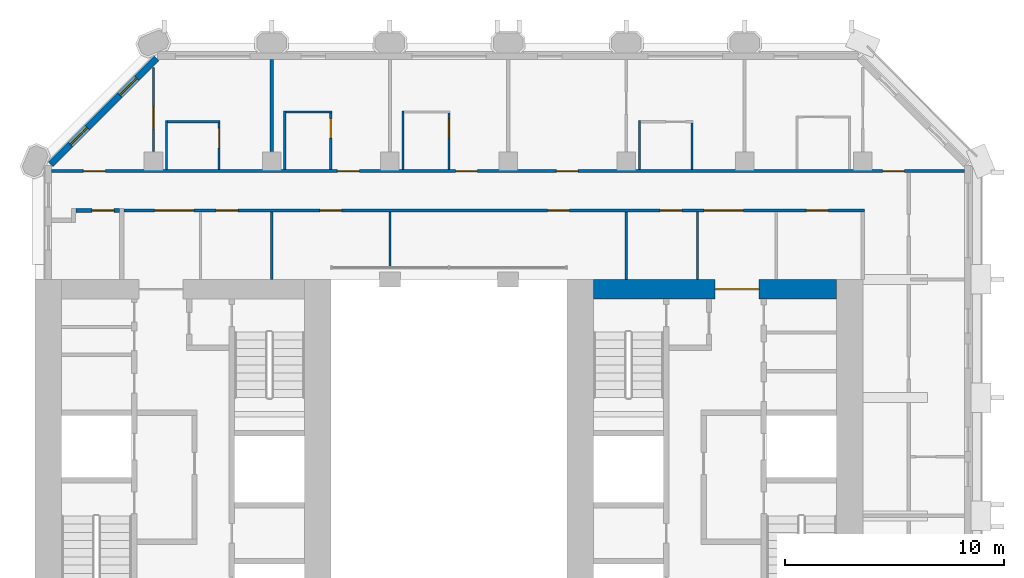
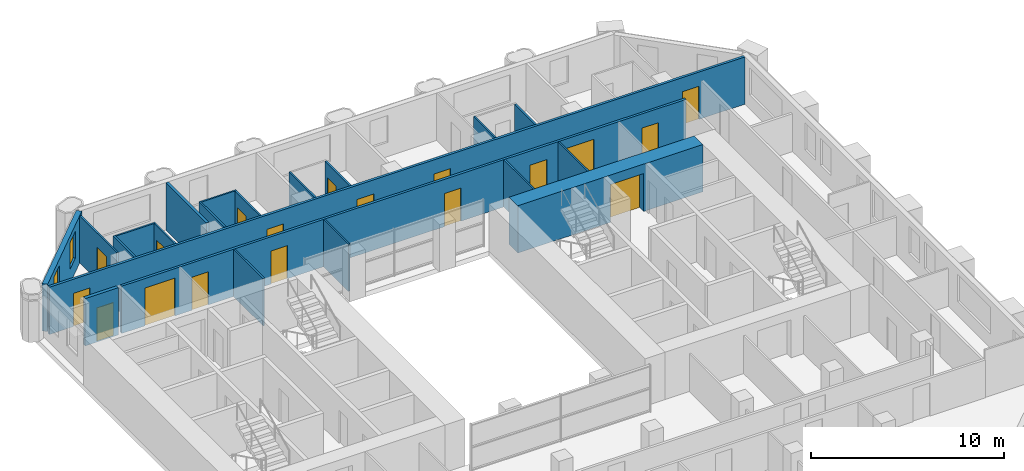
# One storey, part 9 of 13: 21 walls, 18 doors, 2 windows, 20 openings.
"""IFC4 building model written with IfcOpenShell, lengths in metres."""

from ifc_helpers import new_model, si_unit, direction, frame, frame_2d, origin, place, context, subcontext, project, spatial, rectangle, extrude, material, layer, layer_set, type_object, element, fill, save


model = new_model("IFC4")

# Units and contexts
model_context = context("Model", 3, precision=1e-05, world=origin(), true_north=direction((0.0, 1.0)))
body_context = subcontext(model_context, "Body", "Model", "MODEL_VIEW")
ifc_project = project(units=[si_unit("LENGTHUNIT", "METRE"), si_unit("AREAUNIT", "SQUARE_METRE"), si_unit("VOLUMEUNIT", "CUBIC_METRE"), si_unit("PLANEANGLEUNIT", "RADIAN"), si_unit("MASSUNIT", "GRAM", prefix="KILO")], contexts=[model_context])

# Site, building, storey
site_placement = place(None, origin())
site = spatial("IfcSite", under=ifc_project, at=site_placement, CompositionType="ELEMENT")
building_placement = place(site_placement, origin())
building = spatial("IfcBuilding", under=site, at=building_placement, Name="Tabaq Tower and Sports Hall", CompositionType="ELEMENT")
storey_placement = place(building_placement, frame((0.0, 0.0, 169.300048828125)))
storey = spatial("IfcBuildingStorey", under=building, at=storey_placement, Name="L40", CompositionType="ELEMENT", Elevation=169.300048828125)

# Wall, opening, door
ifc_material_1 = material(Name="Concrete C50/60", Category="concrete")
ifc_layer_1 = layer(ifc_material_1, 0.89990234375)
ifc_layer_set_1 = layer_set([ifc_layer_1], Name="Core wall 900 Concrete C50/60")
wall_type_1 = type_object("IfcWallType", Name="Core wall 900 Concrete C50/60", PredefinedType="SOLIDWALL", material=ifc_layer_set_1)
wall_1_placement = place(storey_placement, frame((30.89990234375, 31.949951171875, 0.0), z_axis=(0.0, 0.0, 1.0), x_axis=(1.0, 0.0, 0.0)))
wall_1 = element("IfcWall", 1, at=wall_1_placement, inside=storey, type_object=wall_type_1, Name="Core wall E L40", PredefinedType="SOLIDWALL", context=body_context, shape_type="SweptSolid", body=[
    extrude(rectangle(XDim=11.10009765625, YDim=0.89990234375, at=frame_2d((5.550048828125, 0.0))), origin(), (0.0, 0.0, 1.0), 3.0),
])
opening_1_placement = place(wall_1_placement, frame((5.550048828125, 0.0, 0.0)))
opening_1 = element("IfcOpeningElement", 2, at=opening_1_placement, cuts=wall_1, Name="Opening PD-EL40-02", PredefinedType="OPENING", context=body_context, shape_type="SweptSolid", body=[
    extrude(rectangle(XDim=2.0, YDim=2.39990234375, at=frame_2d((1.0, 1.199951171875))), frame((0.0, 0.449951171875, 0.0), z_axis=(0.0, -1.0, 0.0), x_axis=(1.0, 0.0, 0.0)), (0.0, 0.0, 1.0), 0.89990234375),
])
ifc_material_2 = material(Name="Steel fire door", Category="steel")
door_type_1 = type_object("IfcDoorType", Name="Core entrance door 2000", OperationType="DOUBLE_DOOR_SINGLE_SWING", PredefinedType="DOOR", material=ifc_material_2)
door_1_placement = place(opening_1_placement, origin())
door_1 = element("IfcDoor", 3, at=door_1_placement, inside=storey, type_object=door_type_1, Name="Core entrance north E L40", OperationType="DOUBLE_DOOR_SINGLE_SWING", OverallHeight=2.39990234375, OverallWidth=2.0, PredefinedType="DOOR", context=body_context, shape_type="SweptSolid", body=[
    extrude(rectangle(XDim=2.0, YDim=2.39990234375, at=frame_2d((1.0, 1.199951171875))), frame((0.0, 0.02490234375, 0.0), z_axis=(0.0, -1.0, 0.0), x_axis=(1.0, 0.0, 0.0)), (0.0, 0.0, 1.0), 0.050048828125),
])
fill(opening_1, door_1)

ifc_material_3 = material(Name="Blockwork", Category="masonry")
ifc_layer_2 = layer(ifc_material_3, 0.199951171875)
ifc_layer_set_2 = layer_set([ifc_layer_2], Name="Fire compartment wall 200 Blockwork")
wall_type_2 = type_object("IfcWallType", Name="Fire compartment wall 200 Blockwork", PredefinedType="PARTITIONING", material=ifc_layer_set_2)
wall_2_placement = place(storey_placement, frame((7.2509765625, 35.550048828125, 0.0), z_axis=(0.0, 0.0, 1.0), x_axis=(1.0, 0.0, 0.0)))
wall_2 = element("IfcWall", 4, at=wall_2_placement, inside=storey, type_object=wall_type_2, Name="Compartment wall L40", PredefinedType="PARTITIONING", context=body_context, shape_type="SweptSolid", body=[
    extrude(rectangle(XDim=1.9990234375, YDim=0.199951171875, at=frame_2d((0.99951171875, 0.0))), origin(), (0.0, 0.0, 1.0), 3.0),
])
opening_2_placement = place(wall_2_placement, frame((0.7490234375, 0.0, 0.0)))
opening_2 = element("IfcOpeningElement", 5, at=opening_2_placement, cuts=wall_2, Name="Opening L40-010", PredefinedType="OPENING", context=body_context, shape_type="SweptSolid", body=[
    extrude(rectangle(XDim=1.0, YDim=2.10009765625, at=frame_2d((0.5, 1.050048828125))), frame((0.0, 0.10009765625, 0.0), z_axis=(0.0, -1.0, 0.0), x_axis=(1.0, 0.0, 0.0)), (0.0, 0.0, 1.0), 0.199951171875),
])
ifc_material_4 = material(Name="Steel fire door", Category="steel")
door_type_2 = type_object("IfcDoorType", Name="Riser door 1000 right hand", OperationType="SINGLE_SWING_RIGHT", PredefinedType="DOOR", material=ifc_material_4)
door_2_placement = place(opening_2_placement, origin())
door_2 = element("IfcDoor", 6, at=door_2_placement, inside=storey, type_object=door_type_2, Name="Riser door L40-010", OperationType="SINGLE_SWING_RIGHT", OverallHeight=2.10009765625, OverallWidth=1.0, PredefinedType="DOOR", context=body_context, shape_type="SweptSolid", body=[
    extrude(rectangle(XDim=1.0, YDim=2.10009765625, at=frame_2d((0.5, 1.050048828125))), frame((0.0, 0.02490234375, 0.0), z_axis=(0.0, -1.0, 0.0), x_axis=(1.0, 0.0, 0.0)), (0.0, 0.0, 1.0), 0.050048828125),
])
fill(opening_2, door_2)

ifc_material_5 = material(Name="Gypsum board on steel studs", Category="steel")
ifc_layer_3 = layer(ifc_material_5, 0.10009765625)
ifc_layer_set_3 = layer_set([ifc_layer_3], Name="Partition 100 Gypsum board")
wall_type_3 = type_object("IfcWallType", Name="Partition 100 Gypsum board", PredefinedType="PARTITIONING", material=ifc_layer_set_3)
wall_3_placement = place(storey_placement, frame((10.800048828125, 42.087890625, 0.0), z_axis=(0.0, 0.0, 1.0), x_axis=(0.0, -1.0, 0.0)))
wall_3 = element("IfcWall", 7, at=wall_3_placement, inside=storey, type_object=wall_type_3, Name="Partition wall L40", PredefinedType="PARTITIONING", context=body_context, shape_type="SweptSolid", body=[
    extrude(rectangle(XDim=3.8427734375, YDim=0.10009765625, at=frame_2d((1.92138671875, 0.0))), origin(), (0.0, 0.0, 1.0), 3.0),
])
opening_3_placement = place(wall_3_placement, frame((1.80029296875, 0.0, 0.0)))
opening_3 = element("IfcOpeningElement", 8, at=opening_3_placement, cuts=wall_3, Name="Opening L40-028", PredefinedType="OPENING", context=body_context, shape_type="SweptSolid", body=[
    extrude(rectangle(XDim=1.0, YDim=2.10009765625, at=frame_2d((0.5, 1.050048828125))), frame((0.0, 0.050048828125, 0.0), z_axis=(0.0, -1.0, 0.0), x_axis=(1.0, 0.0, 0.0)), (0.0, 0.0, 1.0), 0.10009765625),
])
ifc_material_6 = material(Name="Timber leaf in steel frame", Category="steel")
door_type_3 = type_object("IfcDoorType", Name="Internal door 1000 right hand", OperationType="SINGLE_SWING_RIGHT", PredefinedType="DOOR", material=ifc_material_6)
door_3_placement = place(opening_3_placement, origin())
door_3 = element("IfcDoor", 9, at=door_3_placement, inside=storey, type_object=door_type_3, Name="Internal door L40-028", OperationType="SINGLE_SWING_RIGHT", OverallHeight=2.10009765625, OverallWidth=1.0, PredefinedType="DOOR", context=body_context, shape_type="SweptSolid", body=[
    extrude(rectangle(XDim=1.0, YDim=2.10009765625, at=frame_2d((0.5, 1.050048828125))), frame((0.0, 0.02490234375, 0.0), z_axis=(0.0, -1.0, 0.0), x_axis=(1.0, 0.0, 0.0)), (0.0, 0.0, 1.0), 0.050048828125),
])
fill(opening_3, door_3)

# Walls
wall_4_placement = place(storey_placement, frame((11.39990234375, 37.425048828125, 0.0), z_axis=(0.0, 0.0, 1.0), x_axis=(0.0, 1.0, 0.0)))
element("IfcWall", 10, at=wall_4_placement, inside=storey, type_object=wall_type_3, Name="Partition wall L40", PredefinedType="PARTITIONING", context=body_context, shape_type="SweptSolid", body=[
    extrude(rectangle(XDim=2.224853515625, YDim=0.10009765625, at=frame_2d((1.1123046875, 0.0))), origin(), (0.0, 0.0, 1.0), 3.0),
])
wall_5_placement = place(storey_placement, frame((11.449951171875, 39.60009765625, 0.0), z_axis=(0.0, 0.0, 1.0), x_axis=(1.0, 0.0, 0.0)))
element("IfcWall", 11, at=wall_5_placement, inside=storey, type_object=wall_type_3, Name="Partition wall L40", PredefinedType="PARTITIONING", context=body_context, shape_type="SweptSolid", body=[
    extrude(rectangle(XDim=2.400146484375, YDim=0.10009765625, at=frame_2d((1.2001953125, 0.0))), origin(), (0.0, 0.0, 1.0), 3.0),
])

# Wall, opening, door
wall_6_placement = place(storey_placement, frame((13.800048828125, 39.550048828125, 0.0), z_axis=(0.0, 0.0, 1.0), x_axis=(0.0, -1.0, 0.0)))
wall_6 = element("IfcWall", 12, at=wall_6_placement, inside=storey, type_object=wall_type_3, Name="Partition wall L40", PredefinedType="PARTITIONING", context=body_context, shape_type="SweptSolid", body=[
    extrude(rectangle(XDim=2.125, YDim=0.10009765625, at=frame_2d((1.0625, 0.0))), origin(), (0.0, 0.0, 1.0), 3.0),
])
opening_4_placement = place(wall_6_placement, frame((0.25, 0.0, 0.0)))
opening_4 = element("IfcOpeningElement", 13, at=opening_4_placement, cuts=wall_6, Name="Opening L40-002", PredefinedType="OPENING", context=body_context, shape_type="SweptSolid", body=[
    extrude(rectangle(XDim=0.89990234375, YDim=2.10009765625, at=frame_2d((0.449951171875, 1.050048828125))), frame((0.0, 0.050048828125, 0.0), z_axis=(0.0, -1.0, 0.0), x_axis=(1.0, 0.0, 0.0)), (0.0, 0.0, 1.0), 0.10009765625),
])
ifc_material_7 = material(Name="Timber leaf in steel frame", Category="steel")
door_type_4 = type_object("IfcDoorType", Name="Internal door 900 right hand", OperationType="SINGLE_SWING_RIGHT", PredefinedType="DOOR", material=ifc_material_7)
door_4_placement = place(opening_4_placement, origin())
door_4 = element("IfcDoor", 14, at=door_4_placement, inside=storey, type_object=door_type_4, Name="Internal door L40-002", OperationType="SINGLE_SWING_RIGHT", OverallHeight=2.10009765625, OverallWidth=0.89990234375, PredefinedType="DOOR", context=body_context, shape_type="SweptSolid", body=[
    extrude(rectangle(XDim=0.89990234375, YDim=2.10009765625, at=frame_2d((0.449951171875, 1.050048828125))), frame((0.0, 0.02490234375, 0.0), z_axis=(0.0, -1.0, 0.0), x_axis=(1.0, 0.0, 0.0)), (0.0, 0.0, 1.0), 0.050048828125),
])
fill(opening_4, door_4)

# Walls
wall_7_placement = place(storey_placement, frame((16.800048828125, 37.425048828125, 0.0), z_axis=(0.0, 0.0, 1.0), x_axis=(0.0, 1.0, 0.0)))
element("IfcWall", 15, at=wall_7_placement, inside=storey, type_object=wall_type_3, Name="Partition wall L40", PredefinedType="PARTITIONING", context=body_context, shape_type="SweptSolid", body=[
    extrude(rectangle(XDim=2.675048828125, YDim=0.10009765625, at=frame_2d((1.33740234375, 0.0))), origin(), (0.0, 0.0, 1.0), 3.0),
])
wall_8_placement = place(storey_placement, frame((16.85009765625, 40.050048828125, 0.0), z_axis=(0.0, 0.0, 1.0), x_axis=(1.0, 0.0, 0.0)))
element("IfcWall", 16, at=wall_8_placement, inside=storey, type_object=wall_type_3, Name="Partition wall L40", PredefinedType="PARTITIONING", context=body_context, shape_type="SweptSolid", body=[
    extrude(rectangle(XDim=2.099853515625, YDim=0.10009765625, at=frame_2d((1.0498046875, 0.0))), origin(), (0.0, 0.0, 1.0), 3.0),
])

# Wall, opening, door
wall_9_placement = place(storey_placement, frame((18.89990234375, 40.0, 0.0), z_axis=(0.0, 0.0, 1.0), x_axis=(0.0, -1.0, 0.0)))
wall_9 = element("IfcWall", 17, at=wall_9_placement, inside=storey, type_object=wall_type_3, Name="Partition wall L40", PredefinedType="PARTITIONING", context=body_context, shape_type="SweptSolid", body=[
    extrude(rectangle(XDim=2.574951171875, YDim=0.10009765625, at=frame_2d((1.28759765625, 0.0))), origin(), (0.0, 0.0, 1.0), 3.0),
])
opening_5_placement = place(wall_9_placement, frame((0.25, 0.0, 0.0)))
opening_5 = element("IfcOpeningElement", 18, at=opening_5_placement, cuts=wall_9, Name="Opening L40-003", PredefinedType="OPENING", context=body_context, shape_type="SweptSolid", body=[
    extrude(rectangle(XDim=0.89990234375, YDim=2.10009765625, at=frame_2d((0.449951171875, 1.050048828125))), frame((0.0, 0.050048828125, 0.0), z_axis=(0.0, -1.0, 0.0), x_axis=(1.0, 0.0, 0.0)), (0.0, 0.0, 1.0), 0.10009765625),
])
door_5_placement = place(opening_5_placement, origin())
door_5 = element("IfcDoor", 19, at=door_5_placement, inside=storey, type_object=door_type_4, Name="Internal door L40-003", OperationType="SINGLE_SWING_RIGHT", OverallHeight=2.10009765625, OverallWidth=0.89990234375, PredefinedType="DOOR", context=body_context, shape_type="SweptSolid", body=[
    extrude(rectangle(XDim=0.89990234375, YDim=2.10009765625, at=frame_2d((0.449951171875, 1.050048828125))), frame((0.0, 0.02490234375, 0.0), z_axis=(0.0, -1.0, 0.0), x_axis=(1.0, 0.0, 0.0)), (0.0, 0.0, 1.0), 0.050048828125),
])
fill(opening_5, door_5)

# Wall
wall_10_placement = place(storey_placement, frame((22.199951171875, 37.425048828125, 0.0), z_axis=(0.0, 0.0, 1.0), x_axis=(0.0, 1.0, 0.0)))
element("IfcWall", 20, at=wall_10_placement, inside=storey, type_object=wall_type_3, Name="Partition wall L40", PredefinedType="PARTITIONING", context=body_context, shape_type="SweptSolid", body=[
    extrude(rectangle(XDim=2.675048828125, YDim=0.10009765625, at=frame_2d((1.33740234375, 0.0))), origin(), (0.0, 0.0, 1.0), 3.0),
])

# Wall, opening, door
wall_11_placement = place(storey_placement, frame((24.300048828125, 40.0, 0.0), z_axis=(0.0, 0.0, 1.0), x_axis=(0.0, -1.0, 0.0)))
wall_11 = element("IfcWall", 21, at=wall_11_placement, inside=storey, type_object=wall_type_3, Name="Partition wall L40", PredefinedType="PARTITIONING", context=body_context, shape_type="SweptSolid", body=[
    extrude(rectangle(XDim=2.574951171875, YDim=0.10009765625, at=frame_2d((1.28759765625, 0.0))), origin(), (0.0, 0.0, 1.0), 3.0),
])
opening_6_placement = place(wall_11_placement, frame((0.25, 0.0, 0.0)))
opening_6 = element("IfcOpeningElement", 22, at=opening_6_placement, cuts=wall_11, Name="Opening L40-004", PredefinedType="OPENING", context=body_context, shape_type="SweptSolid", body=[
    extrude(rectangle(XDim=0.89990234375, YDim=2.10009765625, at=frame_2d((0.449951171875, 1.050048828125))), frame((0.0, 0.050048828125, 0.0), z_axis=(0.0, -1.0, 0.0), x_axis=(1.0, 0.0, 0.0)), (0.0, 0.0, 1.0), 0.10009765625),
])
ifc_material_8 = material(Name="Timber leaf in steel frame", Category="steel")
door_type_5 = type_object("IfcDoorType", Name="Internal door 900 left hand", OperationType="SINGLE_SWING_LEFT", PredefinedType="DOOR", material=ifc_material_8)
door_6_placement = place(opening_6_placement, origin())
door_6 = element("IfcDoor", 23, at=door_6_placement, inside=storey, type_object=door_type_5, Name="Internal door L40-004", OperationType="SINGLE_SWING_LEFT", OverallHeight=2.10009765625, OverallWidth=0.89990234375, PredefinedType="DOOR", context=body_context, shape_type="SweptSolid", body=[
    extrude(rectangle(XDim=0.89990234375, YDim=2.10009765625, at=frame_2d((0.449951171875, 1.050048828125))), frame((0.0, 0.02490234375, 0.0), z_axis=(0.0, -1.0, 0.0), x_axis=(1.0, 0.0, 0.0)), (0.0, 0.0, 1.0), 0.050048828125),
])
fill(opening_6, door_6)

# Walls
wall_12_placement = place(storey_placement, frame((33.0, 37.425048828125, 0.0), z_axis=(0.0, 0.0, 1.0), x_axis=(0.0, 1.0, 0.0)))
element("IfcWall", 24, at=wall_12_placement, inside=storey, type_object=wall_type_3, Name="Partition wall L40", PredefinedType="PARTITIONING", context=body_context, shape_type="SweptSolid", body=[
    extrude(rectangle(XDim=2.224853515625, YDim=0.10009765625, at=frame_2d((1.1123046875, 0.0))), origin(), (0.0, 0.0, 1.0), 3.0),
])
wall_13_placement = place(storey_placement, frame((35.39990234375, 39.550048828125, 0.0), z_axis=(0.0, 0.0, 1.0), x_axis=(0.0, -1.0, 0.0)))
element("IfcWall", 25, at=wall_13_placement, inside=storey, type_object=wall_type_3, Name="Partition wall L40", PredefinedType="PARTITIONING", context=body_context, shape_type="SweptSolid", body=[
    extrude(rectangle(XDim=2.125, YDim=0.10009765625, at=frame_2d((1.0625, 0.0))), origin(), (0.0, 0.0, 1.0), 3.0),
])
wall_14_placement = place(storey_placement, frame((16.199951171875, 35.47509765625, 0.0), z_axis=(0.0, 0.0, 1.0), x_axis=(0.0, -1.0, 0.0)))
element("IfcWall", 26, at=wall_14_placement, inside=storey, type_object=wall_type_3, Name="Partition wall L40", PredefinedType="PARTITIONING", context=body_context, shape_type="SweptSolid", body=[
    extrude(rectangle(XDim=3.0751953125, YDim=0.10009765625, at=frame_2d((1.53759765625, 0.0))), origin(), (0.0, 0.0, 1.0), 3.0),
])
wall_15_placement = place(storey_placement, frame((21.60009765625, 32.89501953125, 0.0), z_axis=(0.0, 0.0, 1.0), x_axis=(0.0, 1.0, 0.0)))
element("IfcWall", 27, at=wall_15_placement, inside=storey, type_object=wall_type_3, Name="Partition wall L40", PredefinedType="PARTITIONING", context=body_context, shape_type="SweptSolid", body=[
    extrude(rectangle(XDim=2.580078125, YDim=0.10009765625, at=frame_2d((1.2900390625, 0.0))), origin(), (0.0, 0.0, 1.0), 3.0),
])
for number, where, z_axis, x_axis, name in (
    (28, (32.39990234375, 32.39990234375, 0.0), (0.0, 0.0, 1.0), (0.0, 1.0, 0.0), "Partition wall L40"),
    (29, (35.64990234375, 35.47509765625, 0.0), (0.0, 0.0, 1.0), (0.0, -1.0, 0.0), "Partition wall L40"),
):
    element("IfcWall", number, at=place(storey_placement, frame(where, z_axis=z_axis, x_axis=x_axis)), inside=storey, type_object=wall_type_3, Name=name, PredefinedType="PARTITIONING", context=body_context, shape_type="SweptSolid", body=[
        extrude(rectangle(XDim=3.0751953125, YDim=0.10009765625, at=frame_2d((1.53759765625, 0.0))), origin(), (0.0, 0.0, 1.0), 3.0),
    ])
ifc_material_9 = material(Name="Blockwork", Category="masonry")
ifc_layer_4 = layer(ifc_material_9, 0.14990234375)
ifc_layer_set_4 = layer_set([ifc_layer_4], Name="Separating wall 150 Blockwork")
wall_type_4 = type_object("IfcWallType", Name="Separating wall 150 Blockwork", PredefinedType="PARTITIONING", material=ifc_layer_set_4)
wall_16_placement = place(storey_placement, frame((16.199951171875, 38.2451171875, 0.0), z_axis=(0.0, 0.0, 1.0), x_axis=(0.0, 1.0, 0.0)))
element("IfcWall", 30, at=wall_16_placement, inside=storey, type_object=wall_type_4, Name="Separating wall L40", PredefinedType="PARTITIONING", context=body_context, shape_type="SweptSolid", body=[
    extrude(rectangle(XDim=4.203857421875, YDim=0.14990234375, at=frame_2d((2.10205078125, 0.0))), origin(), (0.0, 0.0, 1.0), 3.0),
])

# Wall, openings, doors
wall_17_placement = place(storey_placement, frame((47.84912109375, 37.35009765625, 0.0), z_axis=(0.0, 0.0, 1.0), x_axis=(-1.0, 0.0, 0.0)))
wall_17 = element("IfcWall", 31, at=wall_17_placement, inside=storey, type_object=wall_type_4, Name="Separating wall L40", PredefinedType="PARTITIONING", context=body_context, shape_type="SweptSolid", body=[
    extrude(rectangle(XDim=41.6982421875, YDim=0.14990234375, at=frame_2d((20.84912109375, 0.0))), origin(), (0.0, 0.0, 1.0), 3.0),
])
opening_7_placement = place(wall_17_placement, frame((39.2490234375, 0.0, 0.0)))
opening_7 = element("IfcOpeningElement", 32, at=opening_7_placement, cuts=wall_17, Name="Opening L40-029", PredefinedType="OPENING", context=body_context, shape_type="SweptSolid", body=[
    extrude(rectangle(XDim=1.0, YDim=2.10009765625, at=frame_2d((0.5, 1.050048828125))), frame((0.0, 0.074951171875, 0.0), z_axis=(0.0, -1.0, 0.0), x_axis=(1.0, 0.0, 0.0)), (0.0, 0.0, 1.0), 0.14990234375),
])
opening_8_placement = place(wall_17_placement, frame((27.64892578125, 0.0, 0.0)))
opening_8 = element("IfcOpeningElement", 33, at=opening_8_placement, cuts=wall_17, Name="Opening L40-030", PredefinedType="OPENING", context=body_context, shape_type="SweptSolid", body=[
    extrude(rectangle(XDim=1.0, YDim=2.10009765625, at=frame_2d((0.5, 1.050048828125))), frame((0.0, 0.074951171875, 0.0), z_axis=(0.0, -1.0, 0.0), x_axis=(1.0, 0.0, 0.0)), (0.0, 0.0, 1.0), 0.14990234375),
])
opening_9_placement = place(wall_17_placement, frame((22.2490234375, 0.0, 0.0)))
opening_9 = element("IfcOpeningElement", 34, at=opening_9_placement, cuts=wall_17, Name="Opening L40-031", PredefinedType="OPENING", context=body_context, shape_type="SweptSolid", body=[
    extrude(rectangle(XDim=1.0, YDim=2.10009765625, at=frame_2d((0.5, 1.050048828125))), frame((0.0, 0.074951171875, 0.0), z_axis=(0.0, -1.0, 0.0), x_axis=(1.0, 0.0, 0.0)), (0.0, 0.0, 1.0), 0.14990234375),
])
opening_10_placement = place(wall_17_placement, frame((17.64892578125, 0.0, 0.0)))
opening_10 = element("IfcOpeningElement", 35, at=opening_10_placement, cuts=wall_17, Name="Opening L40-033", PredefinedType="OPENING", context=body_context, shape_type="SweptSolid", body=[
    extrude(rectangle(XDim=1.0, YDim=2.10009765625, at=frame_2d((0.5, 1.050048828125))), frame((0.0, 0.074951171875, 0.0), z_axis=(0.0, -1.0, 0.0), x_axis=(1.0, 0.0, 0.0)), (0.0, 0.0, 1.0), 0.14990234375),
])
opening_11_placement = place(wall_17_placement, frame((2.743896484375, 0.0, 0.0)))
opening_11 = element("IfcOpeningElement", 36, at=opening_11_placement, cuts=wall_17, Name="Opening L40-035", PredefinedType="OPENING", context=body_context, shape_type="SweptSolid", body=[
    extrude(rectangle(XDim=1.0, YDim=2.10009765625, at=frame_2d((0.5, 1.050048828125))), frame((0.0, 0.074951171875, 0.0), z_axis=(0.0, -1.0, 0.0), x_axis=(1.0, 0.0, 0.0)), (0.0, 0.0, 1.0), 0.14990234375),
])
ifc_material_10 = material(Name="Steel fire door", Category="steel")
door_type_6 = type_object("IfcDoorType", Name="Entrance door 1000 left hand", OperationType="SINGLE_SWING_LEFT", PredefinedType="DOOR", material=ifc_material_10)
door_7_placement = place(opening_7_placement, origin())
door_7 = element("IfcDoor", 37, at=door_7_placement, inside=storey, type_object=door_type_6, Name="Entrance door L40-029", OperationType="SINGLE_SWING_LEFT", OverallHeight=2.10009765625, OverallWidth=1.0, PredefinedType="DOOR", context=body_context, shape_type="SweptSolid", body=[
    extrude(rectangle(XDim=1.0, YDim=2.10009765625, at=frame_2d((0.5, 1.050048828125))), frame((0.0, 0.02490234375, 0.0), z_axis=(0.0, -1.0, 0.0), x_axis=(1.0, 0.0, 0.0)), (0.0, 0.0, 1.0), 0.050048828125),
])
fill(opening_7, door_7)
door_8_placement = place(opening_8_placement, origin())
door_8 = element("IfcDoor", 38, at=door_8_placement, inside=storey, type_object=door_type_6, Name="Entrance door L40-030", OperationType="SINGLE_SWING_LEFT", OverallHeight=2.10009765625, OverallWidth=1.0, PredefinedType="DOOR", context=body_context, shape_type="SweptSolid", body=[
    extrude(rectangle(XDim=1.0, YDim=2.10009765625, at=frame_2d((0.5, 1.050048828125))), frame((0.0, 0.02490234375, 0.0), z_axis=(0.0, -1.0, 0.0), x_axis=(1.0, 0.0, 0.0)), (0.0, 0.0, 1.0), 0.050048828125),
])
fill(opening_8, door_8)
door_9_placement = place(opening_9_placement, origin())
door_9 = element("IfcDoor", 39, at=door_9_placement, inside=storey, type_object=door_type_6, Name="Entrance door L40-031", OperationType="SINGLE_SWING_LEFT", OverallHeight=2.10009765625, OverallWidth=1.0, PredefinedType="DOOR", context=body_context, shape_type="SweptSolid", body=[
    extrude(rectangle(XDim=1.0, YDim=2.10009765625, at=frame_2d((0.5, 1.050048828125))), frame((0.0, 0.02490234375, 0.0), z_axis=(0.0, -1.0, 0.0), x_axis=(1.0, 0.0, 0.0)), (0.0, 0.0, 1.0), 0.050048828125),
])
fill(opening_9, door_9)
door_10_placement = place(opening_10_placement, origin())
door_10 = element("IfcDoor", 40, at=door_10_placement, inside=storey, type_object=door_type_6, Name="Entrance door L40-033", OperationType="SINGLE_SWING_LEFT", OverallHeight=2.10009765625, OverallWidth=1.0, PredefinedType="DOOR", context=body_context, shape_type="SweptSolid", body=[
    extrude(rectangle(XDim=1.0, YDim=2.10009765625, at=frame_2d((0.5, 1.050048828125))), frame((0.0, 0.02490234375, 0.0), z_axis=(0.0, -1.0, 0.0), x_axis=(1.0, 0.0, 0.0)), (0.0, 0.0, 1.0), 0.050048828125),
])
fill(opening_10, door_10)
door_11_placement = place(opening_11_placement, origin())
door_11 = element("IfcDoor", 41, at=door_11_placement, inside=storey, type_object=door_type_6, Name="Entrance door L40-035", OperationType="SINGLE_SWING_LEFT", OverallHeight=2.10009765625, OverallWidth=1.0, PredefinedType="DOOR", context=body_context, shape_type="SweptSolid", body=[
    extrude(rectangle(XDim=1.0, YDim=2.10009765625, at=frame_2d((0.5, 1.050048828125))), frame((0.0, 0.02490234375, 0.0), z_axis=(0.0, -1.0, 0.0), x_axis=(1.0, 0.0, 0.0)), (0.0, 0.0, 1.0), 0.050048828125),
])
fill(opening_11, door_11)

wall_18_placement = place(storey_placement, frame((43.27490234375, 35.550048828125, 0.0), z_axis=(0.0, 0.0, 1.0), x_axis=(-1.0, 0.0, 0.0)))
wall_18 = element("IfcWall", 42, at=wall_18_placement, inside=storey, type_object=wall_type_4, Name="Separating wall L40", PredefinedType="PARTITIONING", context=body_context, shape_type="SweptSolid", body=[
    extrude(rectangle(XDim=33.824951171875, YDim=0.14990234375, at=frame_2d((16.91259765625, 0.0))), origin(), (0.0, 0.0, 1.0), 3.0),
])
opening_12_placement = place(wall_18_placement, frame((23.875, 0.0, 0.0)))
opening_12 = element("IfcOpeningElement", 43, at=opening_12_placement, cuts=wall_18, Name="Opening L40-007", PredefinedType="OPENING", context=body_context, shape_type="SweptSolid", body=[
    extrude(rectangle(XDim=1.0, YDim=2.10009765625, at=frame_2d((0.5, 1.050048828125))), frame((0.0, 0.074951171875, 0.0), z_axis=(0.0, -1.0, 0.0), x_axis=(1.0, 0.0, 0.0)), (0.0, 0.0, 1.0), 0.14990234375),
])
opening_13_placement = place(wall_18_placement, frame((13.47509765625, 0.0, 0.0)))
opening_13 = element("IfcOpeningElement", 44, at=opening_13_placement, cuts=wall_18, Name="Opening L40-008", PredefinedType="OPENING", context=body_context, shape_type="SweptSolid", body=[
    extrude(rectangle(XDim=1.0, YDim=2.10009765625, at=frame_2d((0.5, 1.050048828125))), frame((0.0, 0.074951171875, 0.0), z_axis=(0.0, -1.0, 0.0), x_axis=(1.0, 0.0, 0.0)), (0.0, 0.0, 1.0), 0.14990234375),
])
opening_14_placement = place(wall_18_placement, frame((8.3369140625, 0.0, 0.0)))
opening_14 = element("IfcOpeningElement", 45, at=opening_14_placement, cuts=wall_18, Name="Opening L40-011", PredefinedType="OPENING", context=body_context, shape_type="SweptSolid", body=[
    extrude(rectangle(XDim=1.0, YDim=2.10009765625, at=frame_2d((0.5, 1.050048828125))), frame((0.0, 0.074951171875, 0.0), z_axis=(0.0, -1.0, 0.0), x_axis=(1.0, 0.0, 0.0)), (0.0, 0.0, 1.0), 0.14990234375),
])
opening_15_placement = place(wall_18_placement, frame((1.64794921875, 0.0, 0.0)))
opening_15 = element("IfcOpeningElement", 46, at=opening_15_placement, cuts=wall_18, Name="Opening L40-012", PredefinedType="OPENING", context=body_context, shape_type="SweptSolid", body=[
    extrude(rectangle(XDim=1.0, YDim=2.10009765625, at=frame_2d((0.5, 1.050048828125))), frame((0.0, 0.074951171875, 0.0), z_axis=(0.0, -1.0, 0.0), x_axis=(1.0, 0.0, 0.0)), (0.0, 0.0, 1.0), 0.14990234375),
])
opening_16_placement = place(wall_18_placement, frame((28.613037109375, 0.0, 0.0)))
opening_16 = element("IfcOpeningElement", 47, at=opening_16_placement, cuts=wall_18, Name="Opening L40-013", PredefinedType="OPENING", context=body_context, shape_type="SweptSolid", body=[
    extrude(rectangle(XDim=1.0, YDim=2.10009765625, at=frame_2d((0.5, 1.050048828125))), frame((0.0, 0.074951171875, 0.0), z_axis=(0.0, -1.0, 0.0), x_axis=(1.0, 0.0, 0.0)), (0.0, 0.0, 1.0), 0.14990234375),
])
opening_17_placement = place(wall_18_placement, frame((30.625, 0.0, 0.0)))
opening_17 = element("IfcOpeningElement", 48, at=opening_17_placement, cuts=wall_18, Name="Opening L40-037", PredefinedType="OPENING", context=body_context, shape_type="SweptSolid", body=[
    extrude(rectangle(XDim=1.800048828125, YDim=2.39990234375, at=frame_2d((0.89990234375, 1.199951171875))), frame((0.0, 0.074951171875, 0.0), z_axis=(0.0, -1.0, 0.0), x_axis=(1.0, 0.0, 0.0)), (0.0, 0.0, 1.0), 0.14990234375),
])
opening_18_placement = place(wall_18_placement, frame((5.52490234375, 0.0, 0.0)))
opening_18 = element("IfcOpeningElement", 49, at=opening_18_placement, cuts=wall_18, Name="Opening L40-038", PredefinedType="OPENING", context=body_context, shape_type="SweptSolid", body=[
    extrude(rectangle(XDim=1.800048828125, YDim=2.39990234375, at=frame_2d((0.89990234375, 1.199951171875))), frame((0.0, 0.074951171875, 0.0), z_axis=(0.0, -1.0, 0.0), x_axis=(1.0, 0.0, 0.0)), (0.0, 0.0, 1.0), 0.14990234375),
])
ifc_material_11 = material(Name="Timber leaf in steel frame", Category="steel")
door_type_7 = type_object("IfcDoorType", Name="Internal door 1000 left hand", OperationType="SINGLE_SWING_LEFT", PredefinedType="DOOR", material=ifc_material_11)
door_12_placement = place(opening_12_placement, origin())
door_12 = element("IfcDoor", 50, at=door_12_placement, inside=storey, type_object=door_type_7, Name="Internal door L40-007", OperationType="SINGLE_SWING_LEFT", OverallHeight=2.10009765625, OverallWidth=1.0, PredefinedType="DOOR", context=body_context, shape_type="SweptSolid", body=[
    extrude(rectangle(XDim=1.0, YDim=2.10009765625, at=frame_2d((0.5, 1.050048828125))), frame((0.0, 0.02490234375, 0.0), z_axis=(0.0, -1.0, 0.0), x_axis=(1.0, 0.0, 0.0)), (0.0, 0.0, 1.0), 0.050048828125),
])
fill(opening_12, door_12)
door_13_placement = place(opening_13_placement, origin())
door_13 = element("IfcDoor", 51, at=door_13_placement, inside=storey, type_object=door_type_7, Name="Internal door L40-008", OperationType="SINGLE_SWING_LEFT", OverallHeight=2.10009765625, OverallWidth=1.0, PredefinedType="DOOR", context=body_context, shape_type="SweptSolid", body=[
    extrude(rectangle(XDim=1.0, YDim=2.10009765625, at=frame_2d((0.5, 1.050048828125))), frame((0.0, 0.02490234375, 0.0), z_axis=(0.0, -1.0, 0.0), x_axis=(1.0, 0.0, 0.0)), (0.0, 0.0, 1.0), 0.050048828125),
])
fill(opening_13, door_13)
door_14_placement = place(opening_15_placement, origin())
door_14 = element("IfcDoor", 52, at=door_14_placement, inside=storey, type_object=door_type_7, Name="Internal door L40-012", OperationType="SINGLE_SWING_LEFT", OverallHeight=2.10009765625, OverallWidth=1.0, PredefinedType="DOOR", context=body_context, shape_type="SweptSolid", body=[
    extrude(rectangle(XDim=1.0, YDim=2.10009765625, at=frame_2d((0.5, 1.050048828125))), frame((0.0, 0.02490234375, 0.0), z_axis=(0.0, -1.0, 0.0), x_axis=(1.0, 0.0, 0.0)), (0.0, 0.0, 1.0), 0.050048828125),
])
fill(opening_15, door_14)
door_15_placement = place(opening_16_placement, origin())
door_15 = element("IfcDoor", 53, at=door_15_placement, inside=storey, type_object=door_type_7, Name="Internal door L40-013", OperationType="SINGLE_SWING_LEFT", OverallHeight=2.10009765625, OverallWidth=1.0, PredefinedType="DOOR", context=body_context, shape_type="SweptSolid", body=[
    extrude(rectangle(XDim=1.0, YDim=2.10009765625, at=frame_2d((0.5, 1.050048828125))), frame((0.0, 0.02490234375, 0.0), z_axis=(0.0, -1.0, 0.0), x_axis=(1.0, 0.0, 0.0)), (0.0, 0.0, 1.0), 0.050048828125),
])
fill(opening_16, door_15)
door_16_placement = place(opening_14_placement, origin())
door_16 = element("IfcDoor", 54, at=door_16_placement, inside=storey, type_object=door_type_3, Name="Internal door L40-011", OperationType="SINGLE_SWING_RIGHT", OverallHeight=2.10009765625, OverallWidth=1.0, PredefinedType="DOOR", context=body_context, shape_type="SweptSolid", body=[
    extrude(rectangle(XDim=1.0, YDim=2.10009765625, at=frame_2d((0.5, 1.050048828125))), frame((0.0, 0.02490234375, 0.0), z_axis=(0.0, -1.0, 0.0), x_axis=(1.0, 0.0, 0.0)), (0.0, 0.0, 1.0), 0.050048828125),
])
fill(opening_14, door_16)
ifc_material_12 = material(Name="Timber leaf in steel frame", Category="steel")
door_type_8 = type_object("IfcDoorType", Name="Internal door 1800", OperationType="DOUBLE_DOOR_SINGLE_SWING", PredefinedType="DOOR", material=ifc_material_12)
door_17_placement = place(opening_17_placement, origin())
door_17 = element("IfcDoor", 55, at=door_17_placement, inside=storey, type_object=door_type_8, Name="Internal door L40-037", OperationType="DOUBLE_DOOR_SINGLE_SWING", OverallHeight=2.39990234375, OverallWidth=1.800048828125, PredefinedType="DOOR", context=body_context, shape_type="SweptSolid", body=[
    extrude(rectangle(XDim=1.800048828125, YDim=2.39990234375, at=frame_2d((0.89990234375, 1.199951171875))), frame((0.0, 0.02490234375, 0.0), z_axis=(0.0, -1.0, 0.0), x_axis=(1.0, 0.0, 0.0)), (0.0, 0.0, 1.0), 0.050048828125),
])
fill(opening_17, door_17)
door_18_placement = place(opening_18_placement, origin())
door_18 = element("IfcDoor", 56, at=door_18_placement, inside=storey, type_object=door_type_8, Name="Internal door L40-038", OperationType="DOUBLE_DOOR_SINGLE_SWING", OverallHeight=2.39990234375, OverallWidth=1.800048828125, PredefinedType="DOOR", context=body_context, shape_type="SweptSolid", body=[
    extrude(rectangle(XDim=1.800048828125, YDim=2.39990234375, at=frame_2d((0.89990234375, 1.199951171875))), frame((0.0, 0.02490234375, 0.0), z_axis=(0.0, -1.0, 0.0), x_axis=(1.0, 0.0, 0.0)), (0.0, 0.0, 1.0), 0.050048828125),
])
fill(opening_18, door_18)

# Wall, openings, windows
ifc_material_13 = material(Name="White precast concrete C60/75", Category="concrete")
ifc_layer_5 = layer(ifc_material_13, 0.300048828125)
ifc_layer_set_5 = layer_set([ifc_layer_5], Name="White precast concrete C60/75 external wall 300")
wall_type_5 = type_object("IfcWallType", Name="White precast concrete C60/75 external wall 300", PredefinedType="SOLIDWALL", material=ifc_layer_set_5)
wall_19_placement = place(storey_placement, frame((10.949462890625, 42.5009765625, 0.0), z_axis=(0.0, 0.0, 1.0), x_axis=(-0.707106781187, -0.707106781187, 0.0)))
wall_19 = element("IfcWall", 57, at=wall_19_placement, inside=storey, type_object=wall_type_5, Name="External Wall L40 NW", PredefinedType="SOLIDWALL", context=body_context, shape_type="SweptSolid", body=[
    extrude(rectangle(XDim=6.85986328125, YDim=0.300048828125, at=frame_2d((3.429931640625, 0.0))), origin(), (0.0, 0.0, 1.0), 3.0),
])
opening_19_placement = place(wall_19_placement, frame((1.27978515625, 0.0, 0.89990234375)))
opening_19 = element("IfcOpeningElement", 58, at=opening_19_placement, cuts=wall_19, Name="Opening W1B", PredefinedType="OPENING", context=body_context, shape_type="SweptSolid", body=[
    extrude(rectangle(XDim=1.10009765625, YDim=1.699951171875, at=frame_2d((0.550048828125, 0.85009765625))), frame((0.0, 0.16015625, 0.0), z_axis=(0.0, -1.0, 0.0), x_axis=(1.0, 0.0, 0.0)), (0.0, 0.0, 1.0), 0.320068359375),
])
opening_20_placement = place(wall_19_placement, frame((4.479736328125, 0.0, 0.89990234375)))
opening_20 = element("IfcOpeningElement", 59, at=opening_20_placement, cuts=wall_19, Name="Opening W1B", PredefinedType="OPENING", context=body_context, shape_type="SweptSolid", body=[
    extrude(rectangle(XDim=1.10009765625, YDim=1.699951171875, at=frame_2d((0.550048828125, 0.85009765625))), frame((0.0, 0.16015625, 0.0), z_axis=(0.0, -1.0, 0.0), x_axis=(1.0, 0.0, 0.0)), (0.0, 0.0, 1.0), 0.320068359375),
])
ifc_material_14 = material(Name="Aluminium framed clear glazing", Category="aluminium")
window_type = type_object("IfcWindowType", Name="Window W1B", PartitioningType="SINGLE_PANEL", PredefinedType="WINDOW", material=ifc_material_14)
window_1_placement = place(opening_19_placement, origin())
window_1 = element("IfcWindow", 60, at=window_1_placement, inside=storey, type_object=window_type, Name="Window W1B L40", OverallHeight=1.699951171875, OverallWidth=1.10009765625, PartitioningType="SINGLE_PANEL", PredefinedType="WINDOW", context=body_context, shape_type="SweptSolid", body=[
    extrude(rectangle(XDim=1.10009765625, YDim=1.699951171875, at=frame_2d((0.550048828125, 0.85009765625))), frame((0.0, 0.030029296875, 0.0), z_axis=(0.0, -1.0, 0.0), x_axis=(1.0, 0.0, 0.0)), (0.0, 0.0, 1.0), 0.06005859375),
])
fill(opening_19, window_1)
window_2_placement = place(opening_20_placement, origin())
window_2 = element("IfcWindow", 61, at=window_2_placement, inside=storey, type_object=window_type, Name="Window W1B L40", OverallHeight=1.699951171875, OverallWidth=1.10009765625, PartitioningType="SINGLE_PANEL", PredefinedType="WINDOW", context=body_context, shape_type="SweptSolid", body=[
    extrude(rectangle(XDim=1.10009765625, YDim=1.699951171875, at=frame_2d((0.550048828125, 0.85009765625))), frame((0.0, 0.030029296875, 0.0), z_axis=(0.0, -1.0, 0.0), x_axis=(1.0, 0.0, 0.0)), (0.0, 0.0, 1.0), 0.06005859375),
])
fill(opening_20, window_2)

save(model, "model.ifc")
